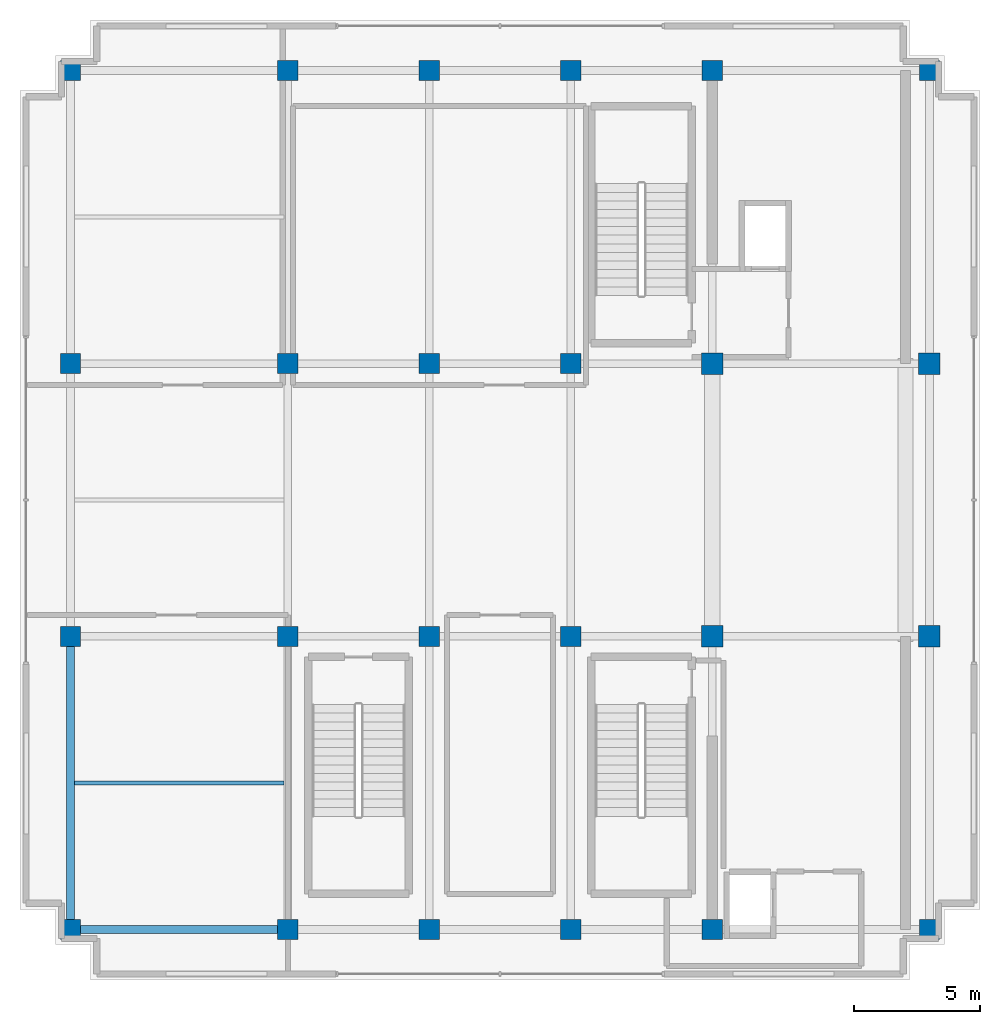
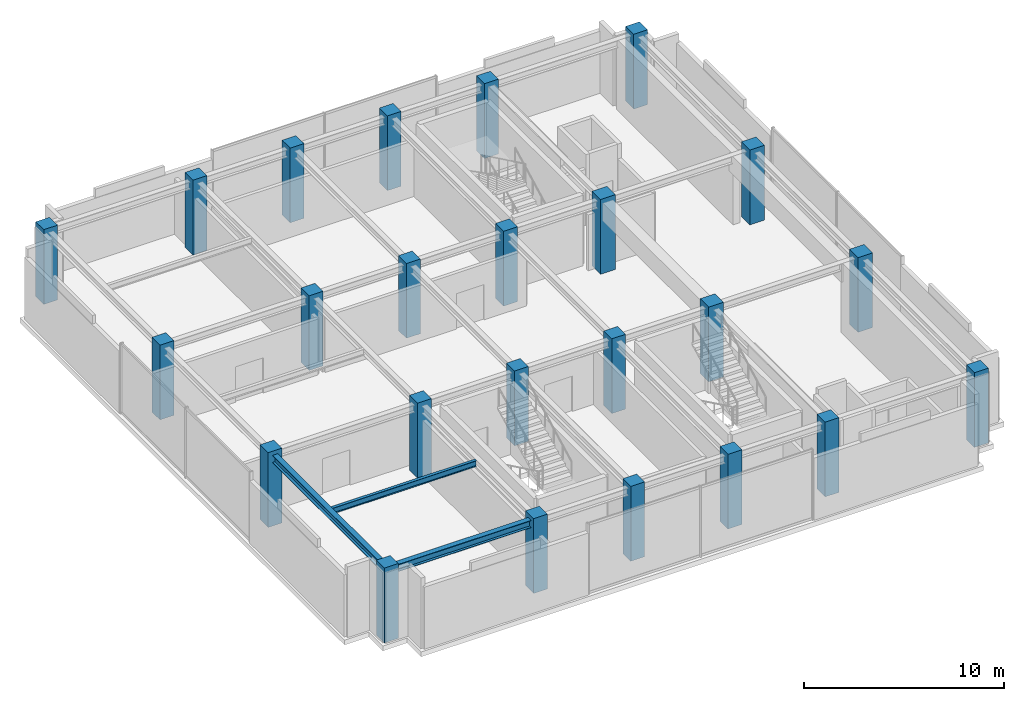
# One storey, part 1 of 18: 24 columns, 3 beams.
"""IFC4 building model written with IfcOpenShell, lengths in metres."""

from ifc_helpers import new_model, si_unit, direction, frame, origin, origin_2d, place, context, subcontext, project, spatial, rectangle, i_section, extrude, source, transform, mapped, material, material_profile, profile_set, type_object, element, save


model = new_model("IFC4")

# Units and contexts
model_context = context("Model", 3, precision=1e-05, world=origin(), true_north=direction((0.0, 1.0)))
body_context = subcontext(model_context, "Body", "Model", "MODEL_VIEW")
ifc_project = project(units=[si_unit("LENGTHUNIT", "METRE"), si_unit("AREAUNIT", "SQUARE_METRE"), si_unit("VOLUMEUNIT", "CUBIC_METRE"), si_unit("PLANEANGLEUNIT", "RADIAN"), si_unit("MASSUNIT", "GRAM", prefix="KILO")], contexts=[model_context])

# Site, building, storey
site_placement = place(None, origin())
site = spatial("IfcSite", under=ifc_project, at=site_placement, CompositionType="ELEMENT")
building_placement = place(site_placement, origin())
building = spatial("IfcBuilding", under=site, at=building_placement, Name="Nahalor Promenade Grand Hotel", CompositionType="ELEMENT")
storey_placement = place(building_placement, frame((0.0, 0.0, 361.64990234375)))
storey = spatial("IfcBuildingStorey", under=building, at=storey_placement, Name="L92", CompositionType="ELEMENT", Elevation=361.64990234375)

# Columns
ifc_material_1 = material(Name="Concrete B-50 (C40/50)", Category="concrete")
ifc_material_profile_1 = material_profile(ifc_material_1, rectangle(XDim=0.8, YDim=0.8, at=origin_2d()), Name="RC 800x800")
ifc_profile_set_1 = profile_set([ifc_material_profile_1], Name="Concrete B-50 (C40/50)")
column_type_1 = type_object("IfcColumnType", Name="Col-RC-800", PredefinedType="COLUMN", material=ifc_profile_set_1)
shared_shape_1 = source(origin(), body_context, "Body", "SweptSolid", [
    extrude(rectangle(XDim=0.8, YDim=0.8, at=origin_2d()), origin(), (0.0, 0.0, 1.0), 4.55517578125),
])
for number, where, z_axis, x_axis, name in (
    (1, (-17.0, -17.0, 0.0), (0.0, 0.0, 1.0), (1.0, 0.0, 0.0), "COL-L92-I00"),
    (2, (-17.0, -5.39990234375, 0.0), (0.0, 0.0, 1.0), (1.0, 0.0, 0.0), "COL-L92-I01"),
    (3, (-17.0, 5.39990234375, 0.0), (0.0, 0.0, 1.0), (1.0, 0.0, 0.0), "COL-L92-I02"),
    (4, (-17.0, 17.0, 0.0), (0.0, 0.0, 1.0), (1.0, 0.0, 0.0), "COL-L92-I03"),
    (5, (-8.39990234375, -17.0, 0.0), (0.0, 0.0, 1.0), (1.0, 0.0, 0.0), "COL-L92-I10"),
    (6, (-8.39990234375, -5.39990234375, 0.0), (0.0, 0.0, 1.0), (1.0, 0.0, 0.0), "COL-L92-I11"),
    (7, (-8.39990234375, 5.39990234375, 0.0), (0.0, 0.0, 1.0), (1.0, 0.0, 0.0), "COL-L92-I12"),
    (8, (-8.39990234375, 17.0, 0.0), (0.0, 0.0, 1.0), (1.0, 0.0, 0.0), "COL-L92-I13"),
    (9, (-2.800048828125, -17.0, 0.0), (0.0, 0.0, 1.0), (1.0, 0.0, 0.0), "COL-L92-I20"),
    (10, (-2.800048828125, -5.39990234375, 0.0), (0.0, 0.0, 1.0), (1.0, 0.0, 0.0), "COL-L92-I21"),
    (11, (-2.800048828125, 5.39990234375, 0.0), (0.0, 0.0, 1.0), (1.0, 0.0, 0.0), "COL-L92-I22"),
    (12, (-2.800048828125, 17.0, 0.0), (0.0, 0.0, 1.0), (1.0, 0.0, 0.0), "COL-L92-I23"),
    (13, (2.800048828125, -17.0, 0.0), (0.0, 0.0, 1.0), (1.0, 0.0, 0.0), "COL-L92-I30"),
    (14, (2.800048828125, -5.39990234375, 0.0), (0.0, 0.0, 1.0), (1.0, 0.0, 0.0), "COL-L92-I31"),
    (15, (2.800048828125, 5.39990234375, 0.0), (0.0, 0.0, 1.0), (1.0, 0.0, 0.0), "COL-L92-I32"),
    (16, (2.800048828125, 17.0, 0.0), (0.0, 0.0, 1.0), (1.0, 0.0, 0.0), "COL-L92-I33"),
    (17, (8.39990234375, -17.0, 0.0), (0.0, 0.0, 1.0), (1.0, 0.0, 0.0), "COL-L92-I40"),
    (18, (8.39990234375, 17.0, 0.0), (0.0, 0.0, 1.0), (1.0, 0.0, 0.0), "COL-L92-I43"),
    (19, (17.0, -17.0, 0.0), (0.0, 0.0, 1.0), (1.0, 0.0, 0.0), "COL-L92-I50"),
    (20, (17.0, 17.0, 0.0), (0.0, 0.0, 1.0), (1.0, 0.0, 0.0), "COL-L92-I53"),
):
    element("IfcColumn", number, at=place(storey_placement, frame(where, z_axis=z_axis, x_axis=x_axis)), inside=storey, type_object=column_type_1, Name=name, PredefinedType="COLUMN", context=body_context, shape_type="MappedRepresentation", body=[
        mapped(shared_shape_1, transform((0.0, 0.0, 0.0), scale=1.0)),
    ])
ifc_material_2 = material(Name="Concrete B-70 (C60/75)", Category="concrete")
ifc_material_profile_2 = material_profile(ifc_material_2, rectangle(XDim=0.85, YDim=0.85, at=origin_2d()), Name="RC 850x850")
ifc_profile_set_2 = profile_set([ifc_material_profile_2], Name="Concrete B-70 (C60/75)")
column_type_2 = type_object("IfcColumnType", Name="Col-Pilaster-850", PredefinedType="PILASTER", material=ifc_profile_set_2)
shared_shape_2 = source(origin(), body_context, "Body", "SweptSolid", [
    extrude(rectangle(XDim=0.85, YDim=0.85, at=origin_2d()), origin(), (0.0, 0.0, 1.0), 4.55517578125),
])
for number, where, z_axis, x_axis, name in (
    (21, (8.39990234375, -5.39990234375, 0.0), (0.0, 0.0, 1.0), (1.0, 0.0, 0.0), "COL-L92-I41"),
    (22, (8.39990234375, 5.39990234375, 0.0), (0.0, 0.0, 1.0), (1.0, 0.0, 0.0), "COL-L92-I42"),
    (23, (17.0, -5.39990234375, 0.0), (0.0, 0.0, 1.0), (1.0, 0.0, 0.0), "COL-L92-I51"),
    (24, (17.0, 5.39990234375, 0.0), (0.0, 0.0, 1.0), (1.0, 0.0, 0.0), "COL-L92-I52"),
):
    element("IfcColumn", number, at=place(storey_placement, frame(where, z_axis=z_axis, x_axis=x_axis)), inside=storey, type_object=column_type_2, Name=name, PredefinedType="PILASTER", context=body_context, shape_type="MappedRepresentation", body=[
        mapped(shared_shape_2, transform((0.0, 0.0, 0.0), scale=1.0)),
    ])

# Beams
ifc_material_3 = material(Name="Steel S355JR", Category="steel")
ifc_material_profile_3 = material_profile(ifc_material_3, i_section(OverallWidth=0.3, OverallDepth=0.45, WebThickness=0.014, FlangeThickness=0.026, at=origin_2d()), Name="HEB 450")
ifc_profile_set_3 = profile_set([ifc_material_profile_3], Name="Steel S355JR")
beam_type_1 = type_object("IfcBeamType", Name="Beam-Girder-HEB450", PredefinedType="BEAM", material=ifc_profile_set_3)
shared_shape_3 = source(origin(), body_context, "Body", "SweptSolid", [
    extrude(i_section(OverallWidth=0.3, OverallDepth=0.45, WebThickness=0.014, FlangeThickness=0.026, at=origin_2d()), origin(), (0.0, 0.0, 1.0), 8.60009765625),
])
beam_1_placement = place(storey_placement, frame((-17.0, -17.0, 4.0751953125), z_axis=(1.0, 0.0, 0.0), x_axis=(0.0, 1.0, 0.0)))
element("IfcBeam", 25, at=beam_1_placement, inside=storey, type_object=beam_type_1, Name="BM-L92-GX-0-0", PredefinedType="BEAM", context=body_context, shape_type="MappedRepresentation", body=[
    mapped(shared_shape_3, transform((0.0, 0.0, 0.0), scale=1.0)),
])
shared_shape_4 = source(origin(), body_context, "Body", "SweptSolid", [
    extrude(i_section(OverallWidth=0.3, OverallDepth=0.45, WebThickness=0.014, FlangeThickness=0.026, at=origin_2d()), origin(), (0.0, 0.0, 1.0), 11.60009765625),
])
beam_2_placement = place(storey_placement, frame((-17.0, -17.0, 4.0751953125), z_axis=(0.0, 1.0, 0.0), x_axis=(-1.0, 0.0, 0.0)))
element("IfcBeam", 26, at=beam_2_placement, inside=storey, type_object=beam_type_1, Name="BM-L92-GY-0-0", PredefinedType="BEAM", context=body_context, shape_type="MappedRepresentation", body=[
    mapped(shared_shape_4, transform((0.0, 0.0, 0.0), scale=1.0)),
])
ifc_material_profile_4 = material_profile(ifc_material_3, i_section(OverallWidth=0.17, OverallDepth=0.36, WebThickness=0.008, FlangeThickness=0.0127, at=origin_2d()), Name="IPE 360")
ifc_profile_set_4 = profile_set([ifc_material_profile_4], Name="Steel S355JR")
beam_type_2 = type_object("IfcBeamType", Name="Beam-Joist-IPE360", PredefinedType="JOIST", material=ifc_profile_set_4)
shared_shape_5 = source(origin(), body_context, "Body", "SweptSolid", [
    extrude(i_section(OverallWidth=0.17, OverallDepth=0.36, WebThickness=0.008, FlangeThickness=0.0127, at=origin_2d()), origin(), (0.0, 0.0, 1.0), 8.300048828125),
])
beam_3_placement = place(storey_placement, frame((-16.85009765625, -11.199951171875, 4.1201171875), z_axis=(1.0, 0.0, 0.0), x_axis=(0.0, 1.0, 0.0)))
element("IfcBeam", 27, at=beam_3_placement, inside=storey, type_object=beam_type_2, Name="BM-L92-JSW-0-1", PredefinedType="JOIST", context=body_context, shape_type="MappedRepresentation", body=[
    mapped(shared_shape_5, transform((0.0, 0.0, 0.0), scale=1.0)),
])

save(model, "model.ifc")
